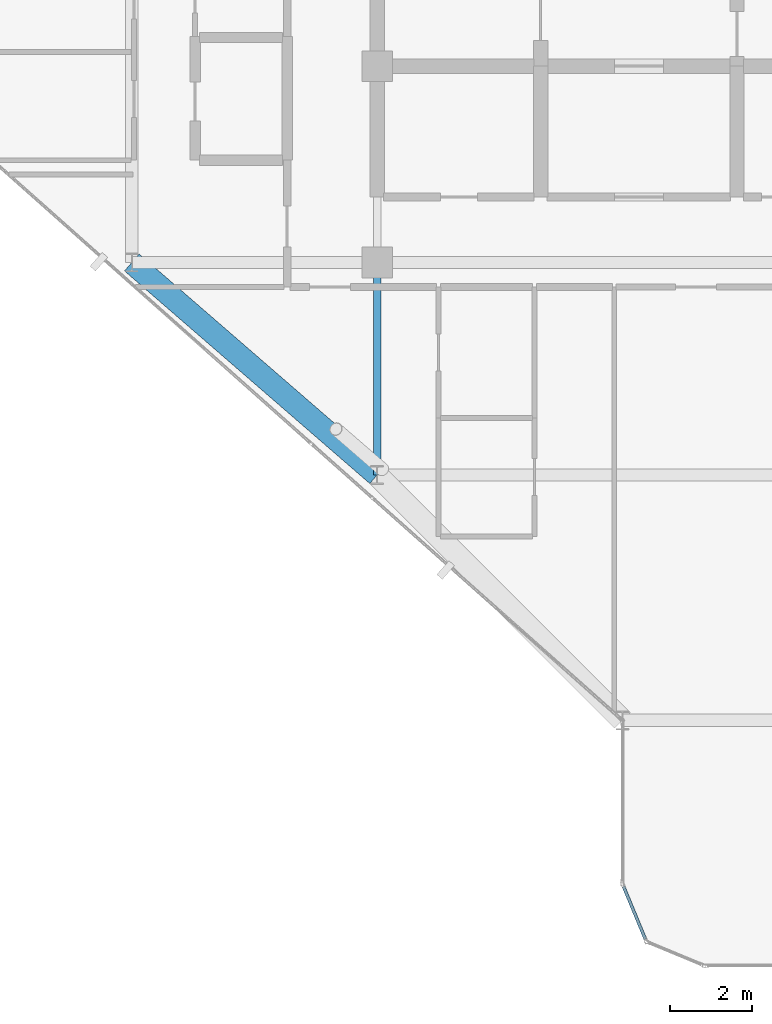
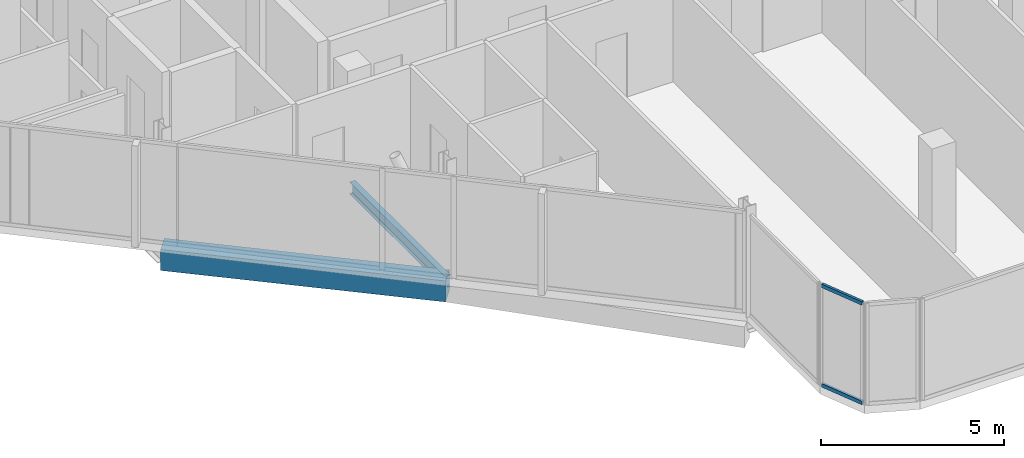
# One storey, part 5 of 29: 2 beams, 2 members, 1 element without a shape of its own.
"""IFC4 building model written with IfcOpenShell, lengths in metres."""

from ifc_helpers import new_model, si_unit, direction, frame, origin, origin_2d, place, context, subcontext, project, spatial, rectangle, hollow_rectangle, i_section, extrude, material, layer, layer_set, material_profile, profile_set, type_object, element, aggregate, save


model = new_model("IFC4")

# Units and contexts
model_context = context("Model", 3, precision=1e-05, world=origin(), true_north=direction((0.0, 1.0)))
body_context = subcontext(model_context, "Body", "Model", "MODEL_VIEW")
ifc_project = project(units=[si_unit("LENGTHUNIT", "METRE"), si_unit("AREAUNIT", "SQUARE_METRE"), si_unit("VOLUMEUNIT", "CUBIC_METRE"), si_unit("PLANEANGLEUNIT", "RADIAN"), si_unit("MASSUNIT", "GRAM", prefix="KILO")], contexts=[model_context])

# Site, building, storey
site_placement = place(None, origin())
site = spatial("IfcSite", under=ifc_project, at=site_placement, CompositionType="ELEMENT")
building_placement = place(site_placement, origin())
building = spatial("IfcBuilding", under=site, at=building_placement, Name="Keshet Zoharim Tower", CompositionType="ELEMENT")
storey_placement = place(building_placement, frame((0.0, 0.0, 210.60009765625)))
storey = spatial("IfcBuildingStorey", under=building, at=storey_placement, Name="L52", CompositionType="ELEMENT", Elevation=210.60009765625)

# Beams
ifc_material_1 = material(Name="Steel S355", Category="steel")
ifc_material_profile_1 = material_profile(ifc_material_1, i_section(OverallWidth=0.179931640625, OverallDepth=0.39990234375, WebThickness=0.008544921875, FlangeThickness=0.013427734375, FilletRadius=0.02099609375, at=origin_2d()), Name="IPE400")
ifc_profile_set_1 = profile_set([ifc_material_profile_1], Name="Steel S355")
beam_type_1 = type_object("IfcBeamType", Name="BM-PRI-IP400", PredefinedType="BEAM", material=ifc_profile_set_1)
beam_1_placement = place(storey_placement, frame((15.0, 12.699951171875, -0.510009765625), z_axis=(0.0, 1.0, 0.0), x_axis=(-1.0, 0.0, 0.0)))
element("IfcBeam", 1, at=beam_1_placement, inside=storey, type_object=beam_type_1, Name="L52 Primary Girder Y-002", PredefinedType="BEAM", context=body_context, shape_type="SweptSolid", body=[
    extrude(i_section(OverallWidth=0.179931640625, OverallDepth=0.39990234375, WebThickness=0.008544921875, FlangeThickness=0.013427734375, FilletRadius=0.02099609375, at=origin_2d()), origin(), (0.0, 0.0, 1.0), 5.199951171875),
])
ifc_material_2 = material(Name="Concrete C50/60", Category="concrete")
ifc_material_profile_2 = material_profile(ifc_material_2, rectangle(XDim=0.550048828125, YDim=0.699951171875, at=origin_2d()), Name="RC700x550")
ifc_profile_set_2 = profile_set([ifc_material_profile_2], Name="Concrete C50/60")
beam_type_2 = type_object("IfcBeamType", Name="BM-SPN-700", PredefinedType="SPANDREL", material=ifc_profile_set_2)
beam_2_placement = place(storey_placement, frame((9.0, 17.89990234375, -0.66015625), z_axis=(0.755692126483, -0.654927026447, 0.0), x_axis=(0.654927026447, 0.755692126483, 0.0)))
element("IfcBeam", 2, at=beam_2_placement, inside=storey, type_object=beam_type_2, Name="L52 Perimeter Spandrel Beam 02", PredefinedType="SPANDREL", context=body_context, shape_type="SweptSolid", body=[
    extrude(rectangle(XDim=0.550048828125, YDim=0.699951171875, at=origin_2d()), origin(), (0.0, 0.0, 1.0), 7.939697265625),
])

# Curtain wall, members
ifc_material_3 = material(Name="Aluminium 6063-T6", Category="aluminium")
ifc_layer = layer(ifc_material_3, 0.139892578125)
ifc_layer_set = layer_set([ifc_layer], Name="Aluminium 6063-T6")
curtain_wall_type = type_object("IfcCurtainWallType", Name="CW-SYS-05", PredefinedType="NOTDEFINED", material=ifc_layer_set)
curtain_wall_placement = place(storey_placement, origin())
curtain_wall = element("IfcCurtainWall", 3, at=curtain_wall_placement, inside=storey, type_object=curtain_wall_type, Name="L52 Unitised Curtain Wall 08", PredefinedType="NOTDEFINED")
ifc_material_profile_3 = material_profile(ifc_material_3, hollow_rectangle(XDim=0.074951171875, YDim=0.1201171875, WallThickness=0.00390625, at=origin_2d()), Name="TRN-75x120")
ifc_profile_set_3 = profile_set([ifc_material_profile_3], Name="Aluminium 6063-T6")
member_type = type_object("IfcMemberType", Name="CWT-T12", PredefinedType="USERDEFINED", material=ifc_profile_set_3)
member_1_placement = place(storey_placement, frame((21.55908203125, 1.3505859375, 0.034912109375), z_axis=(-0.382744609247, 0.923854189844, 0.0), x_axis=(-0.923854189844, -0.382744609247, 0.0)))
member_1 = element("IfcMember", 4, at=member_1_placement, type_object=member_type, Name="CW-05 transom 1.1", ObjectType="TRANSOM", PredefinedType="USERDEFINED", context=body_context, shape_type="SweptSolid", body=[
    extrude(hollow_rectangle(XDim=0.074951171875, YDim=0.1201171875, WallThickness=0.00390625, at=origin_2d()), origin(), (0.0, 0.0, 1.0), 1.390625),
])
member_2_placement = place(storey_placement, frame((21.55908203125, 1.3505859375, 3.35498046875), z_axis=(-0.382744609247, 0.923854189844, 0.0), x_axis=(-0.923854189844, -0.382744609247, 0.0)))
member_2 = element("IfcMember", 5, at=member_2_placement, type_object=member_type, Name="CW-05 transom 1.2", ObjectType="TRANSOM", PredefinedType="USERDEFINED", context=body_context, shape_type="SweptSolid", body=[
    extrude(hollow_rectangle(XDim=0.074951171875, YDim=0.1201171875, WallThickness=0.00390625, at=origin_2d()), origin(), (0.0, 0.0, 1.0), 1.390625),
])
aggregate(curtain_wall, [member_1, member_2])

save(model, "model.ifc")
